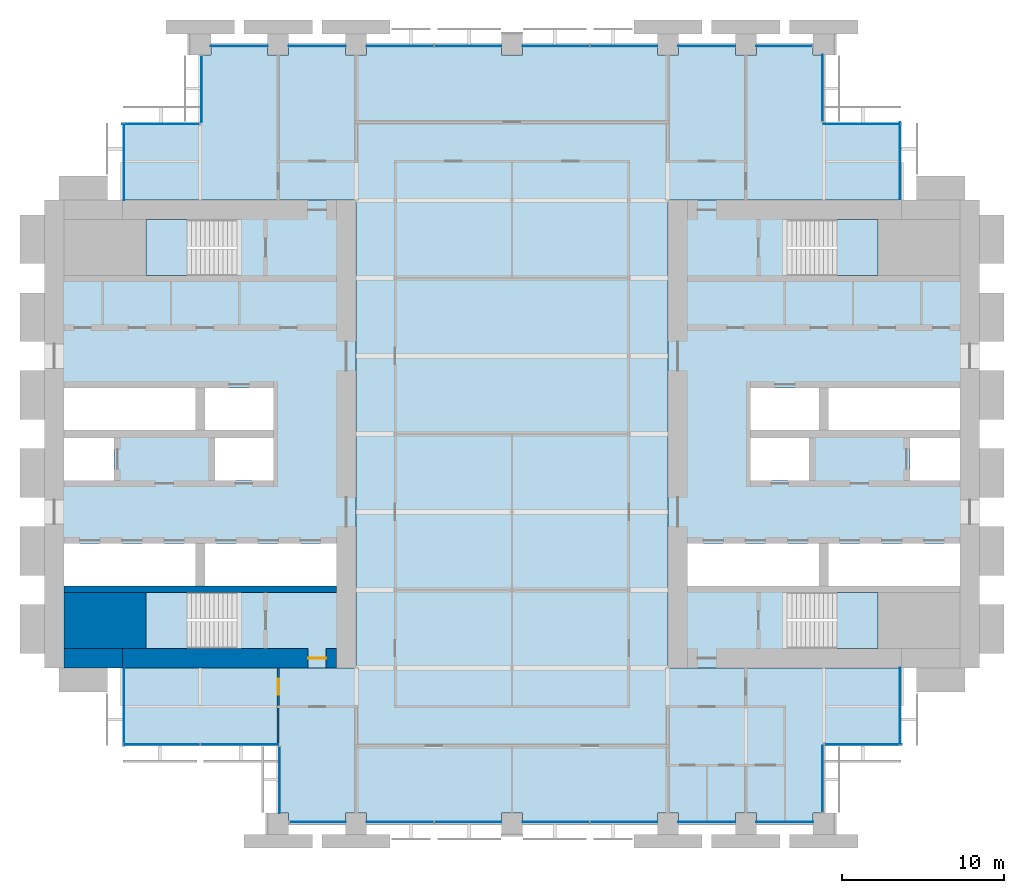
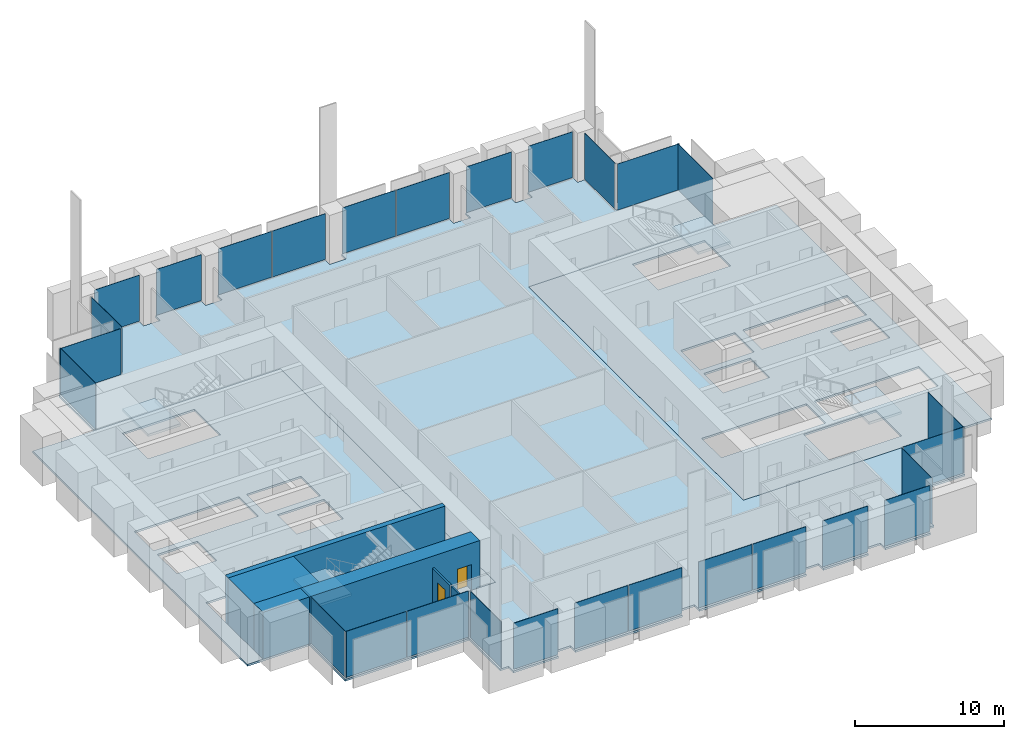
# One storey, part 8 of 14: 28 plates, 7 slabs, 6 walls, 2 doors, 2 openings, 18 elements without a shape of their own.
"""IFC4 building model written with IfcOpenShell, lengths in metres."""

from ifc_helpers import new_model, si_unit, direction, frame, frame_2d, origin, origin_2d, place, context, subcontext, project, spatial, polyline, rectangle, outline, extrude, material, layer, layer_set, type_object, element, fill, aggregate, save


model = new_model("IFC4")

# Units and contexts
model_context = context("Model", 3, precision=1e-05, world=origin(), true_north=direction((0.0, 1.0)))
body_context = subcontext(model_context, "Body", "Model", "MODEL_VIEW")
ifc_project = project(units=[si_unit("LENGTHUNIT", "METRE"), si_unit("AREAUNIT", "SQUARE_METRE"), si_unit("VOLUMEUNIT", "CUBIC_METRE"), si_unit("PLANEANGLEUNIT", "RADIAN"), si_unit("MASSUNIT", "GRAM", prefix="KILO")], contexts=[model_context])

# Site, building, storey
site_placement = place(None, origin())
site = spatial("IfcSite", under=ifc_project, at=site_placement, CompositionType="ELEMENT")
building_placement = place(site_placement, origin())
building = spatial("IfcBuilding", under=site, at=building_placement, Name="Baori Bourse Tower", CompositionType="ELEMENT")
storey_placement = place(building_placement, frame((0.0, 0.0, 39.0)))
storey = spatial("IfcBuildingStorey", under=building, at=storey_placement, Name="L07", CompositionType="ELEMENT", Elevation=39.0)

# Curtain wall, plates
ifc_material_1 = material(Name="Pale anodised aluminium", Category="aluminium")
curtain_wall_type_1 = type_object("IfcCurtainWallType", Name="CW1 Curtain wall", PredefinedType="NOTDEFINED", material=ifc_material_1)
curtain_wall_1_placement = place(storey_placement, origin())
curtain_wall_1 = element("IfcCurtainWall", 1, at=curtain_wall_1_placement, inside=storey, type_object=curtain_wall_type_1, Name="Curtain wall CW1 L07 4", PredefinedType="NOTDEFINED")
ifc_material_2 = material(Name="Clear glass", Category="glass")
ifc_layer_1 = layer(ifc_material_2, 0.033935546875)
ifc_layer_set_1 = layer_set([ifc_layer_1], Name="CW1 Curtain wall panel")
plate_type_1 = type_object("IfcPlateType", Name="CW1 Curtain wall panel", PredefinedType="CURTAIN_PANEL", material=ifc_layer_set_1)
plate_1_placement = place(storey_placement, frame((45.570068359375, 47.89990234375, 0.080078125), z_axis=(0.0, 0.0, 1.0), x_axis=(-1.0, 0.0, 0.0)))
plate_1 = element("IfcPlate", 2, at=plate_1_placement, type_object=plate_type_1, Name="Curtain wall CW1 panel", PredefinedType="CURTAIN_PANEL", context=body_context, shape_type="SweptSolid", body=[
    extrude(rectangle(XDim=3.43994140625, YDim=0.033935546875, at=origin_2d()), origin(), (0.0, 0.0, 1.0), 3.760009765625),
])
plate_2_placement = place(storey_placement, frame((40.800048828125, 47.89990234375, 0.080078125), z_axis=(0.0, 0.0, 1.0), x_axis=(-1.0, 0.0, 0.0)))
plate_2 = element("IfcPlate", 3, at=plate_2_placement, type_object=plate_type_1, Name="Curtain wall CW1 panel", PredefinedType="CURTAIN_PANEL", context=body_context, shape_type="SweptSolid", body=[
    extrude(rectangle(XDim=3.5, YDim=0.033935546875, at=origin_2d()), origin(), (0.0, 0.0, 1.0), 3.760009765625),
])
plate_3_placement = place(storey_placement, frame((35.68994140625, 47.89990234375, 0.080078125), z_axis=(0.0, 0.0, 1.0), x_axis=(-1.0, 0.0, 0.0)))
plate_3 = element("IfcPlate", 4, at=plate_3_placement, type_object=plate_type_1, Name="Curtain wall CW1 panel", PredefinedType="CURTAIN_PANEL", context=body_context, shape_type="SweptSolid", body=[
    extrude(rectangle(XDim=4.1201171875, YDim=0.033935546875, at=origin_2d()), origin(), (0.0, 0.0, 1.0), 3.760009765625),
])
plate_4_placement = place(storey_placement, frame((31.510009765625, 47.89990234375, 0.080078125), z_axis=(0.0, 0.0, 1.0), x_axis=(-1.0, 0.0, 0.0)))
plate_4 = element("IfcPlate", 5, at=plate_4_placement, type_object=plate_type_1, Name="Curtain wall CW1 panel", PredefinedType="CURTAIN_PANEL", context=body_context, shape_type="SweptSolid", body=[
    extrude(rectangle(XDim=4.1201171875, YDim=0.033935546875, at=origin_2d()), origin(), (0.0, 0.0, 1.0), 3.760009765625),
])
plate_5_placement = place(storey_placement, frame((26.090087890625, 47.89990234375, 0.080078125), z_axis=(0.0, 0.0, 1.0), x_axis=(-1.0, 0.0, 0.0)))
plate_5 = element("IfcPlate", 6, at=plate_5_placement, type_object=plate_type_1, Name="Curtain wall CW1 panel", PredefinedType="CURTAIN_PANEL", context=body_context, shape_type="SweptSolid", body=[
    extrude(rectangle(XDim=4.1201171875, YDim=0.033935546875, at=origin_2d()), origin(), (0.0, 0.0, 1.0), 3.760009765625),
])
plate_6_placement = place(storey_placement, frame((21.909912109375, 47.89990234375, 0.080078125), z_axis=(0.0, 0.0, 1.0), x_axis=(-1.0, 0.0, 0.0)))
plate_6 = element("IfcPlate", 7, at=plate_6_placement, type_object=plate_type_1, Name="Curtain wall CW1 panel", PredefinedType="CURTAIN_PANEL", context=body_context, shape_type="SweptSolid", body=[
    extrude(rectangle(XDim=4.1201171875, YDim=0.033935546875, at=origin_2d()), origin(), (0.0, 0.0, 1.0), 3.760009765625),
])
plate_7_placement = place(storey_placement, frame((16.800048828125, 47.89990234375, 0.080078125), z_axis=(0.0, 0.0, 1.0), x_axis=(-1.0, 0.0, 0.0)))
plate_7 = element("IfcPlate", 8, at=plate_7_placement, type_object=plate_type_1, Name="Curtain wall CW1 panel", PredefinedType="CURTAIN_PANEL", context=body_context, shape_type="SweptSolid", body=[
    extrude(rectangle(XDim=3.5, YDim=0.033935546875, at=origin_2d()), origin(), (0.0, 0.0, 1.0), 3.760009765625),
])
plate_8_placement = place(storey_placement, frame((12.0, 47.89990234375, 0.080078125), z_axis=(0.0, 0.0, 1.0), x_axis=(-1.0, 0.0, 0.0)))
plate_8 = element("IfcPlate", 9, at=plate_8_placement, type_object=plate_type_1, Name="Curtain wall CW1 panel", PredefinedType="CURTAIN_PANEL", context=body_context, shape_type="SweptSolid", body=[
    extrude(rectangle(XDim=3.5, YDim=0.033935546875, at=origin_2d()), origin(), (0.0, 0.0, 1.0), 3.760009765625),
])
aggregate(curtain_wall_1, [plate_1, plate_2, plate_3, plate_4, plate_5, plate_6, plate_7, plate_8])

curtain_wall_2_placement = place(storey_placement, origin())
curtain_wall_2 = element("IfcCurtainWall", 10, at=curtain_wall_2_placement, inside=storey, type_object=curtain_wall_type_1, Name="Curtain wall CW1 L07 11", PredefinedType="NOTDEFINED")
plate_9_placement = place(storey_placement, frame((16.830078125, 0.10009765625, 0.080078125), z_axis=(0.0, 0.0, 1.0), x_axis=(1.0, 0.0, 0.0)))
plate_9 = element("IfcPlate", 11, at=plate_9_placement, type_object=plate_type_1, Name="Curtain wall CW1 panel", PredefinedType="CURTAIN_PANEL", context=body_context, shape_type="SweptSolid", body=[
    extrude(rectangle(XDim=3.43994140625, YDim=0.033935546875, at=origin_2d()), origin(), (0.0, 0.0, 1.0), 3.760009765625),
])
plate_10_placement = place(storey_placement, frame((21.909912109375, 0.10009765625, 0.080078125), z_axis=(0.0, 0.0, 1.0), x_axis=(1.0, 0.0, 0.0)))
plate_10 = element("IfcPlate", 12, at=plate_10_placement, type_object=plate_type_1, Name="Curtain wall CW1 panel", PredefinedType="CURTAIN_PANEL", context=body_context, shape_type="SweptSolid", body=[
    extrude(rectangle(XDim=4.1201171875, YDim=0.033935546875, at=origin_2d()), origin(), (0.0, 0.0, 1.0), 3.760009765625),
])
plate_11_placement = place(storey_placement, frame((26.090087890625, 0.10009765625, 0.080078125), z_axis=(0.0, 0.0, 1.0), x_axis=(1.0, 0.0, 0.0)))
plate_11 = element("IfcPlate", 13, at=plate_11_placement, type_object=plate_type_1, Name="Curtain wall CW1 panel", PredefinedType="CURTAIN_PANEL", context=body_context, shape_type="SweptSolid", body=[
    extrude(rectangle(XDim=4.1201171875, YDim=0.033935546875, at=origin_2d()), origin(), (0.0, 0.0, 1.0), 3.760009765625),
])
plate_12_placement = place(storey_placement, frame((31.510009765625, 0.10009765625, 0.080078125), z_axis=(0.0, 0.0, 1.0), x_axis=(1.0, 0.0, 0.0)))
plate_12 = element("IfcPlate", 14, at=plate_12_placement, type_object=plate_type_1, Name="Curtain wall CW1 panel", PredefinedType="CURTAIN_PANEL", context=body_context, shape_type="SweptSolid", body=[
    extrude(rectangle(XDim=4.1201171875, YDim=0.033935546875, at=origin_2d()), origin(), (0.0, 0.0, 1.0), 3.760009765625),
])
plate_13_placement = place(storey_placement, frame((35.68994140625, 0.10009765625, 0.080078125), z_axis=(0.0, 0.0, 1.0), x_axis=(1.0, 0.0, 0.0)))
plate_13 = element("IfcPlate", 15, at=plate_13_placement, type_object=plate_type_1, Name="Curtain wall CW1 panel", PredefinedType="CURTAIN_PANEL", context=body_context, shape_type="SweptSolid", body=[
    extrude(rectangle(XDim=4.1201171875, YDim=0.033935546875, at=origin_2d()), origin(), (0.0, 0.0, 1.0), 3.760009765625),
])
plate_14_placement = place(storey_placement, frame((40.800048828125, 0.10009765625, 0.080078125), z_axis=(0.0, 0.0, 1.0), x_axis=(1.0, 0.0, 0.0)))
plate_14 = element("IfcPlate", 16, at=plate_14_placement, type_object=plate_type_1, Name="Curtain wall CW1 panel", PredefinedType="CURTAIN_PANEL", context=body_context, shape_type="SweptSolid", body=[
    extrude(rectangle(XDim=3.5, YDim=0.033935546875, at=origin_2d()), origin(), (0.0, 0.0, 1.0), 3.760009765625),
])
plate_15_placement = place(storey_placement, frame((45.60009765625, 0.10009765625, 0.080078125), z_axis=(0.0, 0.0, 1.0), x_axis=(1.0, 0.0, 0.0)))
plate_15 = element("IfcPlate", 17, at=plate_15_placement, type_object=plate_type_1, Name="Curtain wall CW1 panel", PredefinedType="CURTAIN_PANEL", context=body_context, shape_type="SweptSolid", body=[
    extrude(rectangle(XDim=3.5, YDim=0.033935546875, at=origin_2d()), origin(), (0.0, 0.0, 1.0), 3.760009765625),
])
aggregate(curtain_wall_2, [plate_9, plate_10, plate_11, plate_12, plate_13, plate_14, plate_15])

# Curtain wall, plate
ifc_material_3 = material(Name="Pale anodised aluminium", Category="aluminium")
curtain_wall_type_2 = type_object("IfcCurtainWallType", Name="CW2 Curtain wall", PredefinedType="NOTDEFINED", material=ifc_material_3)
curtain_wall_3_placement = place(storey_placement, origin())
curtain_wall_3 = element("IfcCurtainWall", 18, at=curtain_wall_3_placement, inside=storey, type_object=curtain_wall_type_2, Name="Curtain wall CW2 L07 1", PredefinedType="NOTDEFINED")
ifc_material_4 = material(Name="Clear glass", Category="glass")
ifc_layer_2 = layer(ifc_material_4, 0.030029296875)
ifc_layer_set_2 = layer_set([ifc_layer_2], Name="CW2 Curtain wall panel")
plate_type_2 = type_object("IfcPlateType", Name="CW2 Curtain wall panel", PredefinedType="CURTAIN_PANEL", material=ifc_layer_set_2)
plate_16_placement = place(storey_placement, frame((52.7099609375, 40.827392578125, 0.070068359375), z_axis=(0.0, 0.0, 1.0), x_axis=(0.0, 1.0, 0.0)))
plate_16 = element("IfcPlate", 19, at=plate_16_placement, type_object=plate_type_2, Name="Curtain wall CW2 panel", PredefinedType="CURTAIN_PANEL", context=body_context, shape_type="SweptSolid", body=[
    extrude(rectangle(XDim=4.7451171875, YDim=0.030029296875, at=origin_2d()), origin(), (0.0, 0.0, 1.0), 3.77001953125),
])
aggregate(curtain_wall_3, [plate_16])

curtain_wall_4_placement = place(storey_placement, origin())
curtain_wall_4 = element("IfcCurtainWall", 20, at=curtain_wall_4_placement, inside=storey, type_object=curtain_wall_type_2, Name="Curtain wall CW2 L07 2", PredefinedType="NOTDEFINED")
plate_17_placement = place(storey_placement, frame((50.37255859375, 43.110107421875, 0.070068359375), z_axis=(0.0, 0.0, 1.0), x_axis=(-1.0, 0.0, 0.0)))
plate_17 = element("IfcPlate", 21, at=plate_17_placement, type_object=plate_type_2, Name="Curtain wall CW2 panel", PredefinedType="CURTAIN_PANEL", context=body_context, shape_type="SweptSolid", body=[
    extrude(rectangle(XDim=4.7451171875, YDim=0.030029296875, at=origin_2d()), origin(), (0.0, 0.0, 1.0), 3.77001953125),
])
aggregate(curtain_wall_4, [plate_17])

curtain_wall_5_placement = place(storey_placement, origin())
curtain_wall_5 = element("IfcCurtainWall", 22, at=curtain_wall_5_placement, inside=storey, type_object=curtain_wall_type_2, Name="Curtain wall CW2 L07 3", PredefinedType="NOTDEFINED")
plate_18_placement = place(storey_placement, frame((47.909912109375, 45.302490234375, 0.070068359375), z_axis=(0.0, 0.0, 1.0), x_axis=(0.0, 1.0, 0.0)))
plate_18 = element("IfcPlate", 23, at=plate_18_placement, type_object=plate_type_2, Name="Curtain wall CW2 panel", PredefinedType="CURTAIN_PANEL", context=body_context, shape_type="SweptSolid", body=[
    extrude(rectangle(XDim=4.094970703125, YDim=0.030029296875, at=origin_2d()), origin(), (0.0, 0.0, 1.0), 3.77001953125),
])
aggregate(curtain_wall_5, [plate_18])

curtain_wall_6_placement = place(storey_placement, origin())
curtain_wall_6 = element("IfcCurtainWall", 24, at=curtain_wall_6_placement, inside=storey, type_object=curtain_wall_type_2, Name="Curtain wall CW2 L07 5", PredefinedType="NOTDEFINED")
plate_19_placement = place(storey_placement, frame((9.68994140625, 45.24755859375, 0.070068359375), z_axis=(0.0, 0.0, 1.0), x_axis=(0.0, -1.0, 0.0)))
plate_19 = element("IfcPlate", 25, at=plate_19_placement, type_object=plate_type_2, Name="Curtain wall CW2 panel", PredefinedType="CURTAIN_PANEL", context=body_context, shape_type="SweptSolid", body=[
    extrude(rectangle(XDim=4.094970703125, YDim=0.030029296875, at=origin_2d()), origin(), (0.0, 0.0, 1.0), 3.77001953125),
])
aggregate(curtain_wall_6, [plate_19])

curtain_wall_7_placement = place(storey_placement, origin())
curtain_wall_7 = element("IfcCurtainWall", 26, at=curtain_wall_7_placement, inside=storey, type_object=curtain_wall_type_2, Name="Curtain wall CW2 L07 6", PredefinedType="NOTDEFINED")
plate_20_placement = place(storey_placement, frame((7.172607421875, 43.110107421875, 0.070068359375), z_axis=(0.0, 0.0, 1.0), x_axis=(-1.0, 0.0, 0.0)))
plate_20 = element("IfcPlate", 27, at=plate_20_placement, type_object=plate_type_2, Name="Curtain wall CW2 panel", PredefinedType="CURTAIN_PANEL", context=body_context, shape_type="SweptSolid", body=[
    extrude(rectangle(XDim=4.7451171875, YDim=0.030029296875, at=origin_2d()), origin(), (0.0, 0.0, 1.0), 3.77001953125),
])
aggregate(curtain_wall_7, [plate_20])

curtain_wall_8_placement = place(storey_placement, origin())
curtain_wall_8 = element("IfcCurtainWall", 28, at=curtain_wall_8_placement, inside=storey, type_object=curtain_wall_type_2, Name="Curtain wall CW2 L07 7", PredefinedType="NOTDEFINED")
plate_21_placement = place(storey_placement, frame((4.889892578125, 40.7724609375, 0.070068359375), z_axis=(0.0, 0.0, 1.0), x_axis=(0.0, -1.0, 0.0)))
plate_21 = element("IfcPlate", 29, at=plate_21_placement, type_object=plate_type_2, Name="Curtain wall CW2 panel", PredefinedType="CURTAIN_PANEL", context=body_context, shape_type="SweptSolid", body=[
    extrude(rectangle(XDim=4.7451171875, YDim=0.030029296875, at=origin_2d()), origin(), (0.0, 0.0, 1.0), 3.77001953125),
])
aggregate(curtain_wall_8, [plate_21])

curtain_wall_9_placement = place(storey_placement, origin())
curtain_wall_9 = element("IfcCurtainWall", 30, at=curtain_wall_9_placement, inside=storey, type_object=curtain_wall_type_2, Name="Curtain wall CW2 L07 8", PredefinedType="NOTDEFINED")
plate_22_placement = place(storey_placement, frame((4.889892578125, 7.172607421875, 0.070068359375), z_axis=(0.0, 0.0, 1.0), x_axis=(0.0, -1.0, 0.0)))
plate_22 = element("IfcPlate", 31, at=plate_22_placement, type_object=plate_type_2, Name="Curtain wall CW2 panel", PredefinedType="CURTAIN_PANEL", context=body_context, shape_type="SweptSolid", body=[
    extrude(rectangle(XDim=4.7451171875, YDim=0.030029296875, at=origin_2d()), origin(), (0.0, 0.0, 1.0), 3.77001953125),
])
aggregate(curtain_wall_9, [plate_22])

# Curtain wall, plates
curtain_wall_10_placement = place(storey_placement, origin())
curtain_wall_10 = element("IfcCurtainWall", 32, at=curtain_wall_10_placement, inside=storey, type_object=curtain_wall_type_2, Name="Curtain wall CW2 L07 9", PredefinedType="NOTDEFINED")
plate_23_placement = place(storey_placement, frame((7.2138671875, 4.889892578125, 0.070068359375), z_axis=(0.0, 0.0, 1.0), x_axis=(1.0, 0.0, 0.0)))
plate_23 = element("IfcPlate", 33, at=plate_23_placement, type_object=plate_type_2, Name="Curtain wall CW2 panel", PredefinedType="CURTAIN_PANEL", context=body_context, shape_type="SweptSolid", body=[
    extrude(rectangle(XDim=4.717529296875, YDim=0.030029296875, at=origin_2d()), origin(), (0.0, 0.0, 1.0), 3.77001953125),
])
plate_24_placement = place(storey_placement, frame((12.013671875, 4.889892578125, 0.070068359375), z_axis=(0.0, 0.0, 1.0), x_axis=(1.0, 0.0, 0.0)))
plate_24 = element("IfcPlate", 34, at=plate_24_placement, type_object=plate_type_2, Name="Curtain wall CW2 panel", PredefinedType="CURTAIN_PANEL", context=body_context, shape_type="SweptSolid", body=[
    extrude(rectangle(XDim=4.7724609375, YDim=0.030029296875, at=origin_2d()), origin(), (0.0, 0.0, 1.0), 3.77001953125),
])
aggregate(curtain_wall_10, [plate_23, plate_24])

# Curtain wall, plate
curtain_wall_11_placement = place(storey_placement, origin())
curtain_wall_11 = element("IfcCurtainWall", 35, at=curtain_wall_11_placement, inside=storey, type_object=curtain_wall_type_2, Name="Curtain wall CW2 L07 10", PredefinedType="NOTDEFINED")
plate_25_placement = place(storey_placement, frame((14.489990234375, 2.697509765625, 0.070068359375), z_axis=(0.0, 0.0, 1.0), x_axis=(0.0, -1.0, 0.0)))
plate_25 = element("IfcPlate", 36, at=plate_25_placement, type_object=plate_type_2, Name="Curtain wall CW2 panel", PredefinedType="CURTAIN_PANEL", context=body_context, shape_type="SweptSolid", body=[
    extrude(rectangle(XDim=4.094970703125, YDim=0.030029296875, at=origin_2d()), origin(), (0.0, 0.0, 1.0), 3.77001953125),
])
aggregate(curtain_wall_11, [plate_25])

curtain_wall_12_placement = place(storey_placement, origin())
curtain_wall_12 = element("IfcCurtainWall", 37, at=curtain_wall_12_placement, inside=storey, type_object=curtain_wall_type_2, Name="Curtain wall CW2 L07 12", PredefinedType="NOTDEFINED")
plate_26_placement = place(storey_placement, frame((47.909912109375, 2.75244140625, 0.070068359375), z_axis=(0.0, 0.0, 1.0), x_axis=(0.0, 1.0, 0.0)))
plate_26 = element("IfcPlate", 38, at=plate_26_placement, type_object=plate_type_2, Name="Curtain wall CW2 panel", PredefinedType="CURTAIN_PANEL", context=body_context, shape_type="SweptSolid", body=[
    extrude(rectangle(XDim=4.094970703125, YDim=0.030029296875, at=origin_2d()), origin(), (0.0, 0.0, 1.0), 3.77001953125),
])
aggregate(curtain_wall_12, [plate_26])

curtain_wall_13_placement = place(storey_placement, origin())
curtain_wall_13 = element("IfcCurtainWall", 39, at=curtain_wall_13_placement, inside=storey, type_object=curtain_wall_type_2, Name="Curtain wall CW2 L07 13", PredefinedType="NOTDEFINED")
plate_27_placement = place(storey_placement, frame((50.427490234375, 4.889892578125, 0.070068359375), z_axis=(0.0, 0.0, 1.0), x_axis=(1.0, 0.0, 0.0)))
plate_27 = element("IfcPlate", 40, at=plate_27_placement, type_object=plate_type_2, Name="Curtain wall CW2 panel", PredefinedType="CURTAIN_PANEL", context=body_context, shape_type="SweptSolid", body=[
    extrude(rectangle(XDim=4.7451171875, YDim=0.030029296875, at=origin_2d()), origin(), (0.0, 0.0, 1.0), 3.77001953125),
])
aggregate(curtain_wall_13, [plate_27])

curtain_wall_14_placement = place(storey_placement, origin())
curtain_wall_14 = element("IfcCurtainWall", 41, at=curtain_wall_14_placement, inside=storey, type_object=curtain_wall_type_2, Name="Curtain wall CW2 L07 14", PredefinedType="NOTDEFINED")
plate_28_placement = place(storey_placement, frame((52.7099609375, 7.2275390625, 0.070068359375), z_axis=(0.0, 0.0, 1.0), x_axis=(0.0, 1.0, 0.0)))
plate_28 = element("IfcPlate", 42, at=plate_28_placement, type_object=plate_type_2, Name="Curtain wall CW2 panel", PredefinedType="CURTAIN_PANEL", context=body_context, shape_type="SweptSolid", body=[
    extrude(rectangle(XDim=4.7451171875, YDim=0.030029296875, at=origin_2d()), origin(), (0.0, 0.0, 1.0), 3.77001953125),
])
aggregate(curtain_wall_14, [plate_28])

# Slabs
ifc_material_5 = material(Name="Concrete f'c 50 MPa", Category="concrete")
ifc_layer_3 = layer(ifc_material_5, 0.159912109375)
ifc_layer_set_3 = layer_set([ifc_layer_3], Name="Core slab 160")
slab_type_1 = type_object("IfcSlabType", Name="Core slab 160", PredefinedType="FLOOR", material=ifc_layer_set_3)
slab_1_placement = place(storey_placement, frame((0.0, 0.0, -0.159912109375)))
element("IfcSlab", 43, at=slab_1_placement, inside=storey, type_object=slab_type_1, Name="Core floor slab W01", PredefinedType="FLOOR", context=body_context, shape_type="SweptSolid", body=[
    extrude(outline(polyline([(19.199951171875, 9.60009765625), (19.199951171875, 38.39990234375), (0.0, 38.39990234375), (0.0, 9.60009765625), (19.199951171875, 9.60009765625)]), holes=[polyline([(9.89990234375, 14.64990234375), (9.89990234375, 17.25), (18.0, 17.25), (18.0, 14.64990234375), (9.89990234375, 14.64990234375)]), polyline([(10.5, 21.14990234375), (10.5, 23.75), (14.10009765625, 23.75), (14.10009765625, 21.14990234375), (10.5, 21.14990234375)]), polyline([(14.10009765625, 24.25), (9.89990234375, 24.25), (9.89990234375, 26.85009765625), (14.10009765625, 26.85009765625), (14.10009765625, 24.25)]), polyline([(6.25, 14.25), (11.84912109375, 14.25), (11.84912109375, 10.800048828125), (6.25, 10.800048828125), (6.25, 14.25)]), polyline([(11.84912109375, 37.199951171875), (11.84912109375, 33.75), (6.25, 33.75), (6.25, 37.199951171875), (11.84912109375, 37.199951171875)]), polyline([(1.199951171875, 26.85009765625), (9.300048828125, 26.85009765625), (9.300048828125, 24.25), (1.199951171875, 24.25), (1.199951171875, 26.85009765625)]), polyline([(9.300048828125, 14.64990234375), (1.199951171875, 14.64990234375), (1.199951171875, 17.25), (9.300048828125, 17.25), (9.300048828125, 14.64990234375)]), polyline([(4.300048828125, 23.75), (4.300048828125, 21.14990234375), (1.199951171875, 21.14990234375), (1.199951171875, 23.75), (4.300048828125, 23.75)])]), origin(), (0.0, 0.0, 1.0), 0.159912109375),
])
slab_2_placement = place(storey_placement, frame((0.0, 0.0, -0.159912109375)))
element("IfcSlab", 44, at=slab_2_placement, inside=storey, type_object=slab_type_1, Name="Core floor slab E01", PredefinedType="FLOOR", context=body_context, shape_type="SweptSolid", body=[
    extrude(outline(polyline([(38.39990234375, 9.60009765625), (57.60009765625, 9.60009765625), (57.60009765625, 38.39990234375), (38.39990234375, 38.39990234375), (38.39990234375, 9.60009765625)]), holes=[polyline([(48.300048828125, 14.64990234375), (48.300048828125, 17.25), (56.39990234375, 17.25), (56.39990234375, 14.64990234375), (48.300048828125, 14.64990234375)]), polyline([(56.39990234375, 21.14990234375), (53.300048828125, 21.14990234375), (53.300048828125, 23.75), (56.39990234375, 23.75), (56.39990234375, 21.14990234375)]), polyline([(56.39990234375, 26.85009765625), (56.39990234375, 24.25), (48.300048828125, 24.25), (48.300048828125, 26.85009765625), (56.39990234375, 26.85009765625)]), polyline([(45.750732421875, 14.25), (51.35009765625, 14.25), (51.35009765625, 10.800048828125), (45.750732421875, 10.800048828125), (45.750732421875, 14.25)]), polyline([(51.35009765625, 37.199951171875), (51.35009765625, 33.75), (45.750732421875, 33.75), (45.750732421875, 37.199951171875), (51.35009765625, 37.199951171875)]), polyline([(39.60009765625, 17.25), (47.699951171875, 17.25), (47.699951171875, 14.64990234375), (39.60009765625, 14.64990234375), (39.60009765625, 17.25)]), polyline([(43.5, 24.25), (43.5, 26.85009765625), (47.699951171875, 26.85009765625), (47.699951171875, 24.25), (43.5, 24.25)]), polyline([(43.5, 23.75), (47.10009765625, 23.75), (47.10009765625, 21.14990234375), (43.5, 21.14990234375), (43.5, 23.75)])]), origin(), (0.0, 0.0, 1.0), 0.159912109375),
])

# Stair, slab
ifc_material_6 = material(Name="Concrete f'c 50 MPa", Category="concrete")
stair_type = type_object("IfcStairType", Name="Core stair", PredefinedType="HALF_TURN_STAIR", material=ifc_material_6)
stair_1_placement = place(storey_placement, origin())
stair_1 = element("IfcStair", 45, at=stair_1_placement, inside=storey, type_object=stair_type, Name="L07 Stair WA", PredefinedType="HALF_TURN_STAIR")
ifc_material_7 = material(Name="Concrete f'c 50 MPa", Category="concrete")
slab_type_2 = type_object("IfcSlabType", Name="Core stair landing", PredefinedType="LANDING", material=ifc_material_7)
slab_3_placement = place(storey_placement, frame((0.0, 0.0, 1.800048828125)))
slab_3 = element("IfcSlab", 46, at=slab_3_placement, type_object=slab_type_2, Name="ST1 landing 1", PredefinedType="LANDING", context=body_context, shape_type="SweptSolid", body=[
    extrude(outline(polyline([(8.77001953125, 14.25), (6.25, 14.25), (6.25, 10.800048828125), (8.77001953125, 10.800048828125), (8.77001953125, 14.25)])), origin(), (0.0, 0.0, 1.0), 0.199951171875),
])
aggregate(stair_1, [slab_3])

stair_2_placement = place(storey_placement, origin())
stair_2 = element("IfcStair", 47, at=stair_2_placement, inside=storey, type_object=stair_type, Name="L07 Stair WB", PredefinedType="HALF_TURN_STAIR")
slab_4_placement = place(storey_placement, frame((0.0, 0.0, 1.800048828125)))
slab_4 = element("IfcSlab", 48, at=slab_4_placement, type_object=slab_type_2, Name="ST2 landing 1", PredefinedType="LANDING", context=body_context, shape_type="SweptSolid", body=[
    extrude(outline(polyline([(8.77001953125, 37.199951171875), (6.25, 37.199951171875), (6.25, 33.75), (8.77001953125, 33.75), (8.77001953125, 37.199951171875)])), origin(), (0.0, 0.0, 1.0), 0.199951171875),
])
aggregate(stair_2, [slab_4])

stair_3_placement = place(storey_placement, origin())
stair_3 = element("IfcStair", 49, at=stair_3_placement, inside=storey, type_object=stair_type, Name="L07 Stair EA", PredefinedType="HALF_TURN_STAIR")
slab_5_placement = place(storey_placement, frame((0.0, 0.0, 1.800048828125)))
slab_5 = element("IfcSlab", 50, at=slab_5_placement, type_object=slab_type_2, Name="ST3 landing 1", PredefinedType="LANDING", context=body_context, shape_type="SweptSolid", body=[
    extrude(outline(polyline([(48.830078125, 10.800048828125), (51.35009765625, 10.800048828125), (51.35009765625, 14.25), (48.830078125, 14.25), (48.830078125, 10.800048828125)])), origin(), (0.0, 0.0, 1.0), 0.199951171875),
])
aggregate(stair_3, [slab_5])

stair_4_placement = place(storey_placement, origin())
stair_4 = element("IfcStair", 51, at=stair_4_placement, inside=storey, type_object=stair_type, Name="L07 Stair EB", PredefinedType="HALF_TURN_STAIR")
slab_6_placement = place(storey_placement, frame((0.0, 0.0, 1.800048828125)))
slab_6 = element("IfcSlab", 52, at=slab_6_placement, type_object=slab_type_2, Name="ST4 landing 1", PredefinedType="LANDING", context=body_context, shape_type="SweptSolid", body=[
    extrude(outline(polyline([(48.830078125, 33.75), (51.35009765625, 33.75), (51.35009765625, 37.199951171875), (48.830078125, 37.199951171875), (48.830078125, 33.75)])), origin(), (0.0, 0.0, 1.0), 0.199951171875),
])
aggregate(stair_4, [slab_6])

# Slab
ifc_material_8 = material(Name="Concrete f'c 40 MPa", Category="concrete")
ifc_layer_4 = layer(ifc_material_8, 0.159912109375)
ifc_layer_set_4 = layer_set([ifc_layer_4], Name="Floor slab 160")
slab_type_3 = type_object("IfcSlabType", Name="Floor slab 160", PredefinedType="FLOOR", material=ifc_layer_set_4)
slab_7_placement = place(storey_placement, frame((0.0, 0.0, -0.159912109375)))
element("IfcSlab", 53, at=slab_7_placement, inside=storey, type_object=slab_type_3, Name="Floor slab L07", PredefinedType="FLOOR", context=body_context, shape_type="SweptSolid", body=[
    extrude(outline(polyline([(14.39990234375, 4.800048828125), (4.800048828125, 4.800048828125), (4.800048828125, 9.60009765625), (19.199951171875, 9.60009765625), (19.199951171875, 38.39990234375), (4.800048828125, 38.39990234375), (4.800048828125, 43.199951171875), (9.60009765625, 43.199951171875), (9.60009765625, 47.35009765625), (10.25, 47.35009765625), (10.25, 48.0), (13.75, 48.0), (13.75, 47.35009765625), (15.050048828125, 47.35009765625), (15.050048828125, 48.0), (18.550048828125, 48.0), (18.550048828125, 47.35009765625), (19.85009765625, 47.35009765625), (19.85009765625, 48.0), (28.14990234375, 48.0), (28.14990234375, 47.35009765625), (29.449951171875, 47.35009765625), (29.449951171875, 48.0), (37.75, 48.0), (37.75, 47.35009765625), (39.050048828125, 47.35009765625), (39.050048828125, 48.0), (42.550048828125, 48.0), (42.550048828125, 47.35009765625), (43.85009765625, 47.35009765625), (43.85009765625, 48.0), (47.35009765625, 48.0), (47.35009765625, 47.35009765625), (48.0, 47.35009765625), (48.0, 43.199951171875), (52.800048828125, 43.199951171875), (52.800048828125, 38.39990234375), (38.39990234375, 38.39990234375), (38.39990234375, 9.60009765625), (52.800048828125, 9.60009765625), (52.800048828125, 4.800048828125), (48.0, 4.800048828125), (48.0, 0.64990234375), (47.35009765625, 0.64990234375), (47.35009765625, 0.0), (43.85009765625, 0.0), (43.85009765625, 0.64990234375), (42.550048828125, 0.64990234375), (42.550048828125, 0.0), (39.050048828125, 0.0), (39.050048828125, 0.64990234375), (37.75, 0.64990234375), (37.75, 0.0), (29.449951171875, 0.0), (29.449951171875, 0.64990234375), (28.14990234375, 0.64990234375), (28.14990234375, 0.0), (19.85009765625, 0.0), (19.85009765625, 0.64990234375), (18.550048828125, 0.64990234375), (18.550048828125, 0.0), (15.050048828125, 0.0), (15.050048828125, 0.64990234375), (14.39990234375, 0.64990234375), (14.39990234375, 4.800048828125)])), origin(), (0.0, 0.0, 1.0), 0.159912109375),
])

# Walls
ifc_material_9 = material(Name="Concrete f'c 70 MPa", Category="concrete")
wall_type_1 = type_object("IfcWallType", Name="Core corner block f'c 70", PredefinedType="SHEAR", material=ifc_material_9)
wall_1_placement = place(storey_placement, frame((1.199951171875, 12.52490234375, 0.0), z_axis=(0.0, 0.0, 1.0), x_axis=(1.0, 0.0, 0.0)))
element("IfcWall", 54, at=wall_1_placement, inside=storey, type_object=wall_type_1, Name="Core wall W05", PredefinedType="SHEAR", context=body_context, shape_type="SweptSolid", body=[
    extrude(rectangle(XDim=5.050048828125, YDim=3.449951171875, at=frame_2d((2.52490234375, 0.0))), origin(), (0.0, 0.0, 1.0), 3.840087890625),
])
ifc_material_10 = material(Name="Concrete f'c 70 MPa", Category="concrete")
ifc_layer_5 = layer(ifc_material_10, 1.199951171875)
ifc_layer_set_5 = layer_set([ifc_layer_5], Name="Core wall 1200 f'c 70")
wall_type_2 = type_object("IfcWallType", Name="Core wall 1200 f'c 70", PredefinedType="SHEAR", material=ifc_layer_set_5)
wall_2_placement = place(storey_placement, frame((4.800048828125, 10.199951171875, 0.0), z_axis=(0.0, 0.0, 1.0), x_axis=(-1.0, 0.0, 0.0)))
element("IfcWall", 55, at=wall_2_placement, inside=storey, type_object=wall_type_2, Name="Core wall W02", PredefinedType="SHEAR", context=body_context, shape_type="SweptSolid", body=[
    extrude(rectangle(XDim=3.60009765625, YDim=1.199951171875, at=frame_2d((1.800048828125, 0.0))), origin(), (0.0, 0.0, 1.0), 3.840087890625),
])

# Wall, opening, door
wall_3_placement = place(storey_placement, frame((18.0, 10.199951171875, 0.0), z_axis=(0.0, 0.0, 1.0), x_axis=(-1.0, 0.0, 0.0)))
wall_3 = element("IfcWall", 56, at=wall_3_placement, inside=storey, type_object=wall_type_2, Name="Core wall W03", PredefinedType="SHEAR", context=body_context, shape_type="SweptSolid", body=[
    extrude(rectangle(XDim=13.199951171875, YDim=1.199951171875, at=frame_2d((6.60009765625, 0.0))), origin(), (0.0, 0.0, 1.0), 3.840087890625),
])
opening_1_placement = place(wall_3_placement, frame((0.64990234375, 0.0, 0.0)))
opening_1 = element("IfcOpeningElement", 57, at=opening_1_placement, cuts=wall_3, Name="Opening L07-D102", PredefinedType="OPENING", context=body_context, shape_type="SweptSolid", body=[
    extrude(rectangle(XDim=1.10009765625, YDim=2.10009765625, at=frame_2d((0.550048828125, 1.050048828125))), frame((0.0, 0.60986328125, 0.0), z_axis=(0.0, -1.0, 0.0), x_axis=(1.0, 0.0, 0.0)), (0.0, 0.0, 1.0), 1.219970703125),
])
ifc_material_11 = material(Name="Painted steel door", Category="steel")
door_type_1 = type_object("IfcDoorType", Name="Stair door 1100", OperationType="SINGLE_SWING_LEFT", PredefinedType="DOOR", material=ifc_material_11)
door_1_placement = place(opening_1_placement, origin())
door_1 = element("IfcDoor", 58, at=door_1_placement, inside=storey, type_object=door_type_1, Name="Stair vestibule door A W L07", OperationType="SINGLE_SWING_LEFT", OverallHeight=2.10009765625, OverallWidth=1.10009765625, PredefinedType="DOOR", context=body_context, shape_type="SweptSolid", body=[
    extrude(rectangle(XDim=1.10009765625, YDim=2.10009765625, at=frame_2d((0.550048828125, 1.050048828125))), frame((0.0, 0.02490234375, 0.0), z_axis=(0.0, -1.0, 0.0), x_axis=(1.0, 0.0, 0.0)), (0.0, 0.0, 1.0), 0.050048828125),
])
fill(opening_1, door_1)

ifc_material_12 = material(Name="Gypsum board partition")
ifc_layer_6 = layer(ifc_material_12, 0.14990234375)
ifc_layer_set_6 = layer_set([ifc_layer_6], Name="Corridor partition 150")
wall_type_3 = type_object("IfcWallType", Name="Corridor partition 150", PredefinedType="PARTITIONING", material=ifc_layer_set_6)
wall_4_placement = place(storey_placement, frame((14.39990234375, 7.27490234375, 0.0), z_axis=(0.0, 0.0, 1.0), x_axis=(0.0, 1.0, 0.0)))
wall_4 = element("IfcWall", 59, at=wall_4_placement, inside=storey, type_object=wall_type_3, Name="Partition", PredefinedType="PARTITIONING", context=body_context, shape_type="SweptSolid", body=[
    extrude(rectangle(XDim=2.3251953125, YDim=0.14990234375, at=frame_2d((1.16259765625, 0.0))), origin(), (0.0, 0.0, 1.0), 2.86962890625),
])
opening_2_placement = place(wall_4_placement, frame((0.66259765625, 0.0, 0.0)))
opening_2 = element("IfcOpeningElement", 60, at=opening_2_placement, cuts=wall_4, Name="Opening L07-D13", PredefinedType="OPENING", context=body_context, shape_type="SweptSolid", body=[
    extrude(rectangle(XDim=1.0, YDim=2.10009765625, at=frame_2d((0.5, 1.050048828125))), frame((0.0, 0.0849609375, 0.0), z_axis=(0.0, -1.0, 0.0), x_axis=(1.0, 0.0, 0.0)), (0.0, 0.0, 1.0), 0.169921875),
])
ifc_material_13 = material(Name="Timber door leaf", Category="wood")
door_type_2 = type_object("IfcDoorType", Name="Door 1000 x 2100", OperationType="SINGLE_SWING_LEFT", PredefinedType="DOOR", material=ifc_material_13)
door_2_placement = place(opening_2_placement, origin())
door_2 = element("IfcDoor", 61, at=door_2_placement, inside=storey, type_object=door_type_2, Name="Door", OperationType="SINGLE_SWING_RIGHT", OverallHeight=2.10009765625, OverallWidth=1.0, PredefinedType="DOOR", context=body_context, shape_type="SweptSolid", body=[
    extrude(rectangle(XDim=1.0, YDim=2.10009765625, at=frame_2d((0.5, 1.050048828125))), frame((0.0, 0.02490234375, 0.0), z_axis=(0.0, -1.0, 0.0), x_axis=(1.0, 0.0, 0.0)), (0.0, 0.0, 1.0), 0.050048828125),
])
fill(opening_2, door_2)

# Walls
ifc_material_14 = material(Name="Gypsum board partition")
ifc_layer_7 = layer(ifc_material_14, 0.125)
ifc_layer_set_7 = layer_set([ifc_layer_7], Name="Partition 125")
wall_type_4 = type_object("IfcWallType", Name="Partition 125", PredefinedType="PARTITIONING", material=ifc_layer_set_7)
wall_5_placement = place(storey_placement, frame((14.39990234375, 4.89990234375, 0.0), z_axis=(0.0, 0.0, 1.0), x_axis=(0.0, 1.0, 0.0)))
element("IfcWall", 62, at=wall_5_placement, inside=storey, type_object=wall_type_4, Name="Partition", PredefinedType="PARTITIONING", context=body_context, shape_type="SweptSolid", body=[
    extrude(rectangle(XDim=2.22509765625, YDim=0.125, at=frame_2d((1.112548828125, 0.0))), origin(), (0.0, 0.0, 1.0), 2.86962890625),
])
ifc_material_15 = material(Name="Concrete f'c 70 MPa", Category="concrete")
ifc_layer_8 = layer(ifc_material_15, 0.39990234375)
ifc_layer_set_8 = layer_set([ifc_layer_8], Name="Shaft wall 400 f'c 70")
wall_type_5 = type_object("IfcWallType", Name="Shaft wall 400 f'c 70", PredefinedType="SHEAR", material=ifc_layer_set_8)
wall_6_placement = place(storey_placement, frame((1.199951171875, 14.449951171875, 0.0), z_axis=(0.0, 0.0, 1.0), x_axis=(1.0, 0.0, 0.0)))
element("IfcWall", 63, at=wall_6_placement, inside=storey, type_object=wall_type_5, Name="Core wall W07", PredefinedType="SHEAR", context=body_context, shape_type="SweptSolid", body=[
    extrude(rectangle(XDim=16.800048828125, YDim=0.39990234375, at=frame_2d((8.39990234375, 0.0))), origin(), (0.0, 0.0, 1.0), 3.840087890625),
])

save(model, "model.ifc")
